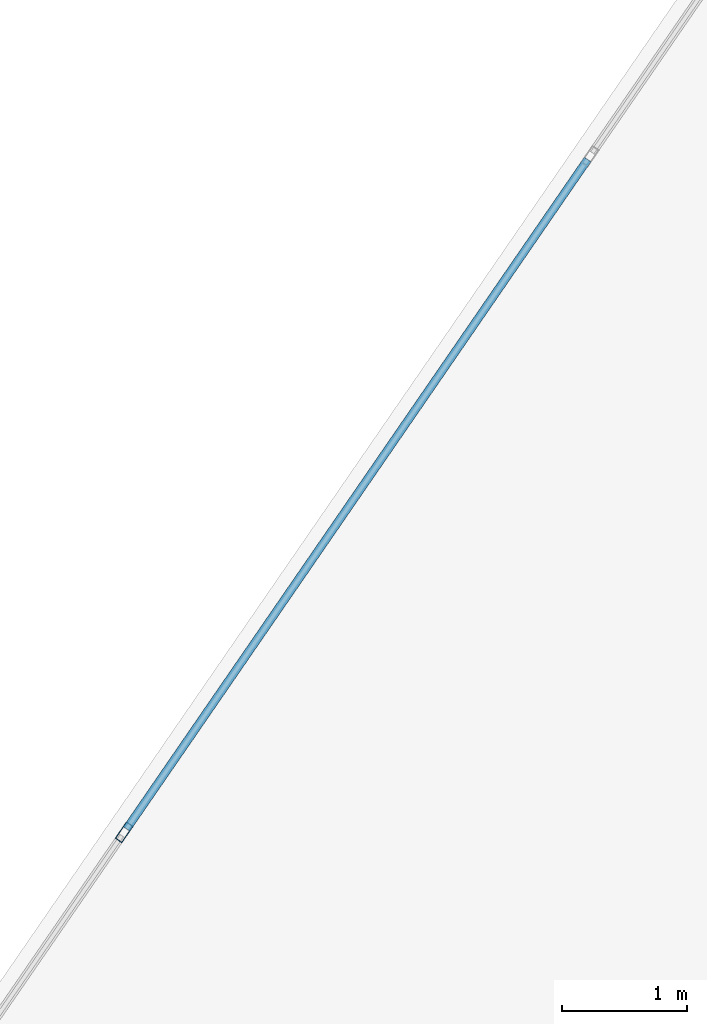
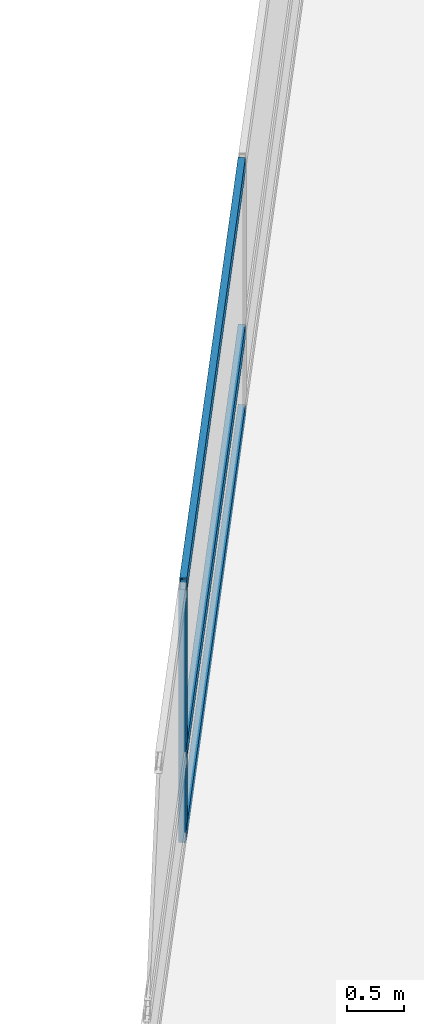
# One storey, part 15 of 27: 4 members, 1 element without a shape of its own.
"""IFC4 building model written with IfcOpenShell, lengths in metres."""

from ifc_helpers import new_model, si_unit, direction, frame, origin, origin_2d, place, context, subcontext, project, spatial, hollow_rectangle, extrude, material, layer, layer_set, material_profile, profile_set, type_object, element, aggregate, save


model = new_model("IFC4")

# Units and contexts
model_context = context("Model", 3, precision=1e-05, world=origin(), true_north=direction((0.0, 1.0)))
body_context = subcontext(model_context, "Body", "Model", "MODEL_VIEW")
ifc_project = project(units=[si_unit("LENGTHUNIT", "METRE"), si_unit("AREAUNIT", "SQUARE_METRE"), si_unit("VOLUMEUNIT", "CUBIC_METRE"), si_unit("PLANEANGLEUNIT", "RADIAN"), si_unit("MASSUNIT", "GRAM", prefix="KILO")], contexts=[model_context])

# Site, building, storey
site_placement = place(None, origin())
site = spatial("IfcSite", under=ifc_project, at=site_placement, CompositionType="ELEMENT")
building_placement = place(site_placement, origin())
building = spatial("IfcBuilding", under=site, at=building_placement, Name="Varnelok Gate Tower", CompositionType="ELEMENT")
storey_placement = place(building_placement, frame((0.0, 0.0, 30.699951171875)))
storey = spatial("IfcBuildingStorey", under=building, at=storey_placement, Name="L06", CompositionType="ELEMENT", Elevation=30.699951171875)

# Curtain wall, members
ifc_material = material(Name="Anodized Aluminum Alloy 6063-T6", Category="aluminium")
ifc_layer = layer(ifc_material, 0.179931640625)
ifc_layer_set = layer_set([ifc_layer], Name="Anodized Aluminum Alloy 6063-T6")
curtain_wall_type = type_object("IfcCurtainWallType", Name="CW3-HOTEL-VISION", PredefinedType="USERDEFINED", material=ifc_layer_set)
curtain_wall_placement = place(storey_placement, origin())
curtain_wall = element("IfcCurtainWall", 1, at=curtain_wall_placement, inside=storey, type_object=curtain_wall_type, Name="L06 West End Vision Curtain Wall", ObjectType="UNITISED CURTAIN WALL", PredefinedType="USERDEFINED")
ifc_material_profile_1 = material_profile(ifc_material, hollow_rectangle(XDim=0.06494140625, YDim=0.159912109375, WallThickness=0.00390625, at=origin_2d()), Name="ALU160X65X4")
ifc_profile_set_1 = profile_set([ifc_material_profile_1], Name="Anodized Aluminum Alloy 6063-T6")
member_type_1 = type_object("IfcMemberType", Name="CW-MULL-160", PredefinedType="MULLION", material=ifc_profile_set_1)
member_1_placement = place(storey_placement, frame((10.7578125, 52.865478515625, 0.0), z_axis=(0.0, 0.0, 1.0), x_axis=(-0.823532685111, 0.567268822124, 0.0)))
member_1 = element("IfcMember", 2, at=member_1_placement, type_object=member_type_1, Name="CW3 mullion 5", PredefinedType="MULLION", context=body_context, shape_type="SweptSolid", body=[
    extrude(hollow_rectangle(XDim=0.06494140625, YDim=0.159912109375, WallThickness=0.00390625, at=origin_2d()), origin(), (0.0, 0.0, 1.0), 2.72998046875),
])
ifc_material_profile_2 = material_profile(ifc_material, hollow_rectangle(XDim=0.06494140625, YDim=0.159912109375, WallThickness=0.00390625, at=origin_2d()), Name="ALU160X65X4")
ifc_profile_set_2 = profile_set([ifc_material_profile_2], Name="Anodized Aluminum Alloy 6063-T6")
member_type_2 = type_object("IfcMemberType", Name="CW-TRAN-160", PredefinedType="USERDEFINED", material=ifc_profile_set_2)
member_2_placement = place(storey_placement, frame((10.7763671875, 52.89208984375, 0.032470703125), z_axis=(0.567261662339, 0.823537616894, 0.0), x_axis=(-0.823537616894, 0.567261662339, 0.0)))
member_2 = element("IfcMember", 3, at=member_2_placement, type_object=member_type_2, Name="CW3 transom 5.1", ObjectType="TRANSOM", PredefinedType="USERDEFINED", context=body_context, shape_type="SweptSolid", body=[
    extrude(hollow_rectangle(XDim=0.06494140625, YDim=0.159912109375, WallThickness=0.00390625, at=origin_2d()), origin(), (0.0, 0.0, 1.0), 6.501708984375),
])
member_3_placement = place(storey_placement, frame((10.7763671875, 52.89208984375, 0.900146484375), z_axis=(0.567261662339, 0.823537616894, 0.0), x_axis=(-0.823537616894, 0.567261662339, 0.0)))
member_3 = element("IfcMember", 4, at=member_3_placement, type_object=member_type_2, Name="CW3 transom 5.2", ObjectType="TRANSOM", PredefinedType="USERDEFINED", context=body_context, shape_type="SweptSolid", body=[
    extrude(hollow_rectangle(XDim=0.06494140625, YDim=0.159912109375, WallThickness=0.00390625, at=origin_2d()), origin(), (0.0, 0.0, 1.0), 6.501708984375),
])
member_4_placement = place(storey_placement, frame((10.7763671875, 52.89208984375, 2.697509765625), z_axis=(0.567261662339, 0.823537616894, 0.0), x_axis=(-0.823537616894, 0.567261662339, 0.0)))
member_4 = element("IfcMember", 5, at=member_4_placement, type_object=member_type_2, Name="CW3 transom 5.3", ObjectType="TRANSOM", PredefinedType="USERDEFINED", context=body_context, shape_type="SweptSolid", body=[
    extrude(hollow_rectangle(XDim=0.06494140625, YDim=0.159912109375, WallThickness=0.00390625, at=origin_2d()), origin(), (0.0, 0.0, 1.0), 6.501708984375),
])
aggregate(curtain_wall, [member_1, member_2, member_3, member_4])

save(model, "model.ifc")
